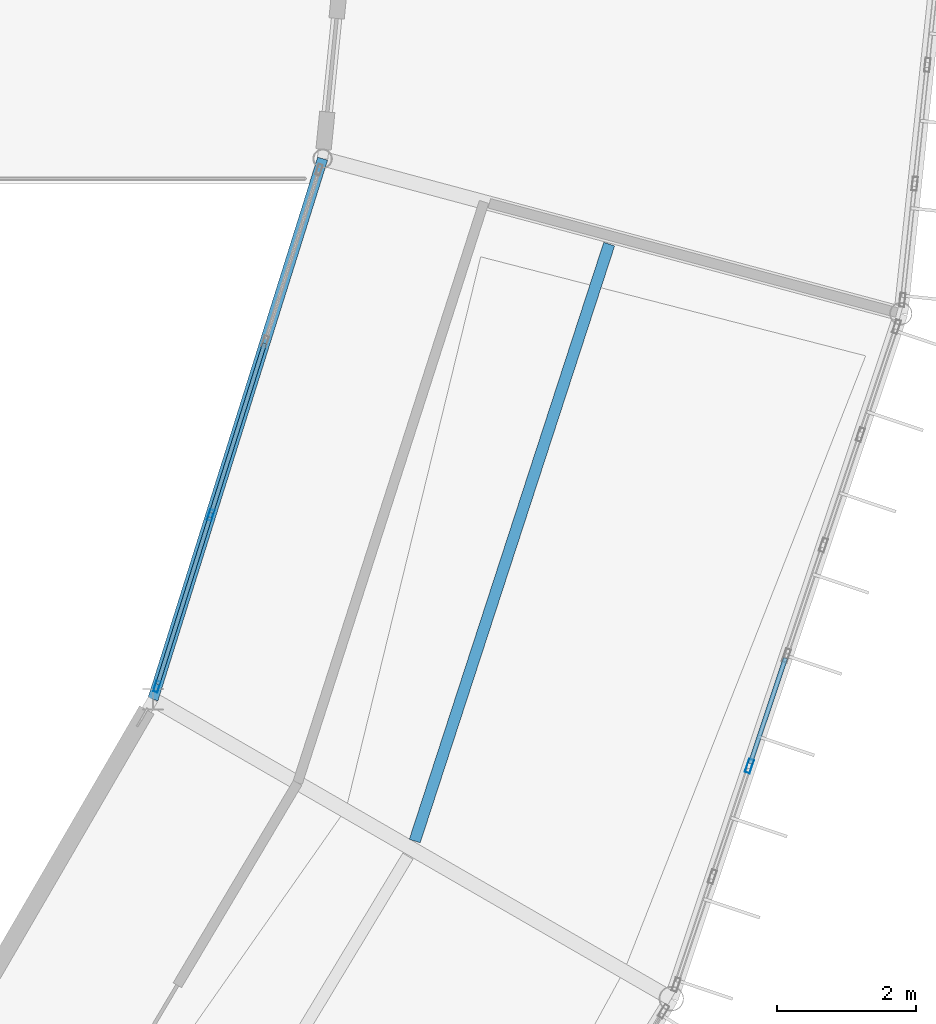
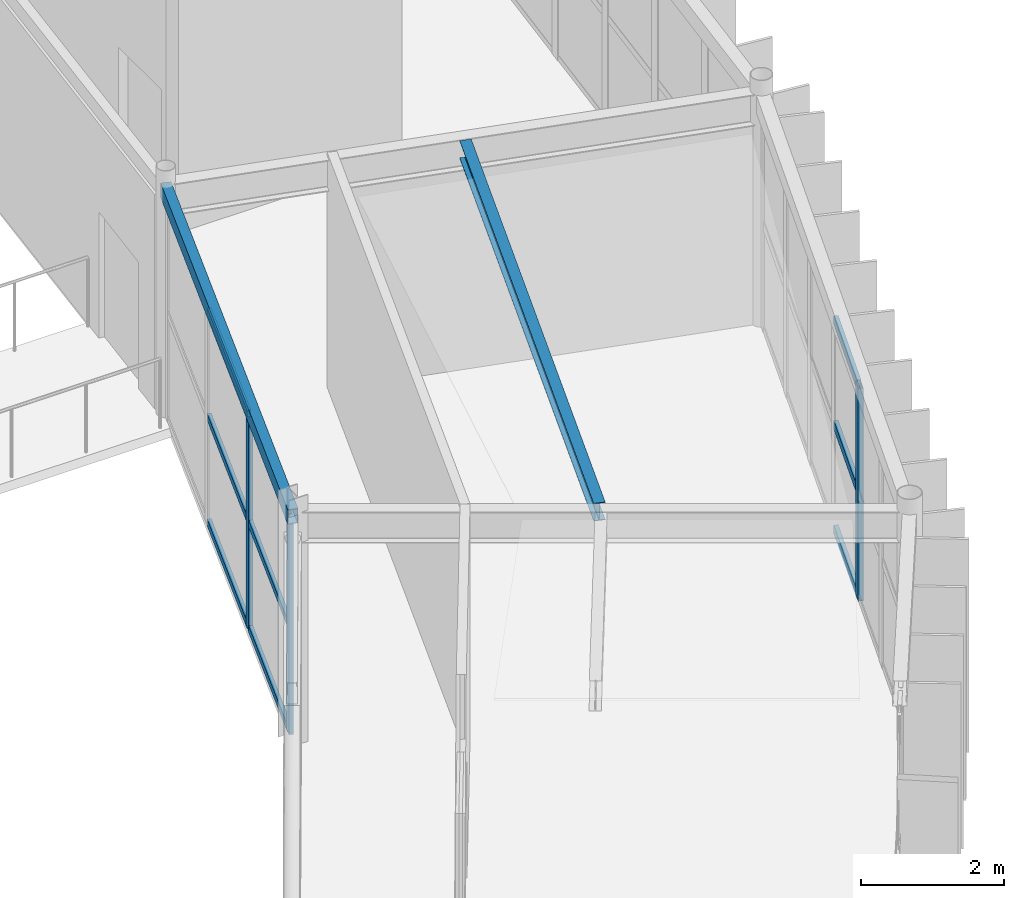
# One storey, part 60 of 147: 12 members, 2 beams, 2 elements without a shape of their own.
"""IFC4 building model written with IfcOpenShell, lengths in metres."""

from ifc_helpers import new_model, si_unit, direction, frame, origin, origin_2d, place, context, subcontext, project, spatial, hollow_rectangle, i_section, extrude, material, material_profile, profile_set, type_object, element, aggregate, save


model = new_model("IFC4")

# Units and contexts
model_context = context("Model", 3, precision=1e-05, world=origin(), true_north=direction((0.0, 1.0)))
body_context = subcontext(model_context, "Body", "Model", "MODEL_VIEW")
ifc_project = project(units=[si_unit("LENGTHUNIT", "METRE"), si_unit("AREAUNIT", "SQUARE_METRE"), si_unit("VOLUMEUNIT", "CUBIC_METRE"), si_unit("PLANEANGLEUNIT", "RADIAN"), si_unit("MASSUNIT", "GRAM", prefix="KILO")], contexts=[model_context])

# Site, building, storey
site_placement = place(None, origin())
site = spatial("IfcSite", under=ifc_project, at=site_placement, CompositionType="ELEMENT")
building_placement = place(site_placement, origin())
building = spatial("IfcBuilding", under=site, at=building_placement, Name="Karori Crest Natural Sciences Institute", CompositionType="ELEMENT")
storey_placement = place(building_placement, frame((0.0, 0.0, 9.10009765625)))
storey = spatial("IfcBuildingStorey", under=building, at=storey_placement, Name="L02", CompositionType="ELEMENT", Elevation=9.10009765625)

# Beams
ifc_material_1 = material(Name="Structural steel AS/NZS 3679.1 Grade 350", Category="steel")
ifc_material_profile_1 = material_profile(ifc_material_1, i_section(OverallWidth=0.1650390625, OverallDepth=0.303955078125, WebThickness=0.006103515625, FlangeThickness=0.01025390625, FilletRadius=0.010986328125, at=origin_2d()), Name="310UB40.4")
ifc_profile_set_1 = profile_set([ifc_material_profile_1], Name="Structural steel AS/NZS 3679.1 Grade 350")
beam_type_1 = type_object("IfcBeamType", Name="BT-10", PredefinedType="BEAM", material=ifc_profile_set_1)
beam_1_placement = place(storey_placement, frame((91.2919921875, 31.76416015625, 3.787841796875), z_axis=(0.309698753032, 0.950834729262, 0.0), x_axis=(-0.950834729262, 0.309698753032, 0.0)))
element("IfcBeam", 1, at=beam_1_placement, inside=storey, type_object=beam_type_1, Name="Beam B-0357", PredefinedType="BEAM", context=body_context, shape_type="SweptSolid", body=[
    extrude(i_section(OverallWidth=0.1650390625, OverallDepth=0.303955078125, WebThickness=0.006103515625, FlangeThickness=0.01025390625, FilletRadius=0.010986328125, at=origin_2d()), origin(), (0.0, 0.0, 1.0), 9.018310546875),
])
ifc_material_2 = material(Name="Hollow structural steel AS/NZS 1163 Grade C350", Category="steel")
ifc_material_profile_2 = material_profile(ifc_material_2, hollow_rectangle(XDim=0.14990234375, YDim=0.25, WallThickness=0.009033203125, at=origin_2d()), Name="RHS250x150x9")
ifc_profile_set_2 = profile_set([ifc_material_profile_2], Name="Hollow structural steel AS/NZS 1163 Grade C350")
beam_type_2 = type_object("IfcBeamType", Name="BT-16", PredefinedType="SPANDREL", material=ifc_profile_set_2)
beam_2_placement = place(storey_placement, frame((87.531005859375, 33.800048828125, 3.789794921875), z_axis=(0.299468576182, 0.954106163841, 0.0), x_axis=(-0.954106163841, 0.299468576182, 0.0)))
element("IfcBeam", 2, at=beam_2_placement, inside=storey, type_object=beam_type_2, Name="Beam B-0355", PredefinedType="SPANDREL", context=body_context, shape_type="SweptSolid", body=[
    extrude(hollow_rectangle(XDim=0.14990234375, YDim=0.25, WallThickness=0.009033203125, at=origin_2d()), origin(), (0.0, 0.0, 1.0), 8.139404296875),
])

# Curtain wall, members
ifc_material_3 = material(Name="Anodised architectural aluminium 6063-T6", Category="aluminium")
curtain_wall_type_1 = type_object("IfcCurtainWallType", Name="CWT-13", PredefinedType="NOTDEFINED", material=ifc_material_3)
curtain_wall_1_placement = place(storey_placement, origin())
curtain_wall_1 = element("IfcCurtainWall", 3, at=curtain_wall_1_placement, inside=storey, type_object=curtain_wall_type_1, Name="Curtain wall CW-0098", PredefinedType="NOTDEFINED")
ifc_material_profile_3 = material_profile(ifc_material_3, hollow_rectangle(XDim=0.06494140625, YDim=0.159912109375, WallThickness=0.00390625, at=origin_2d()), Name="CWM160x65x4")
ifc_profile_set_3 = profile_set([ifc_material_profile_3], Name="Anodised architectural aluminium 6063-T6")
member_type_1 = type_object("IfcMemberType", Name="CWM-01", PredefinedType="MULLION", material=ifc_profile_set_3)
member_1_placement = place(storey_placement, frame((87.58837890625, 33.983154296875, 0.0), z_axis=(0.0, 0.0, 1.0), x_axis=(-0.954103649609, 0.2994765864, 0.0)))
member_1 = element("IfcMember", 4, at=member_1_placement, type_object=member_type_1, Name="CW-0098 mullion 1", PredefinedType="MULLION", context=body_context, shape_type="SweptSolid", body=[
    extrude(hollow_rectangle(XDim=0.06494140625, YDim=0.159912109375, WallThickness=0.00390625, at=origin_2d()), origin(), (0.0, 0.0, 1.0), 3.64990234375),
])
member_2_placement = place(storey_placement, frame((88.36181640625, 36.447265625, 0.0), z_axis=(0.0, 0.0, 1.0), x_axis=(-0.954103649609, 0.2994765864, 0.0)))
member_2 = element("IfcMember", 5, at=member_2_placement, type_object=member_type_1, Name="CW-0098 mullion 2", PredefinedType="MULLION", context=body_context, shape_type="SweptSolid", body=[
    extrude(hollow_rectangle(XDim=0.06494140625, YDim=0.159912109375, WallThickness=0.00390625, at=origin_2d()), origin(), (0.0, 0.0, 1.0), 3.64990234375),
])

# Curtain wall, member
curtain_wall_type_2 = type_object("IfcCurtainWallType", Name="CWT-03", PredefinedType="NOTDEFINED", material=ifc_material_3)
curtain_wall_2_placement = place(storey_placement, origin())
curtain_wall_2 = element("IfcCurtainWall", 6, at=curtain_wall_2_placement, inside=storey, type_object=curtain_wall_type_2, Name="Curtain wall CW-0097", PredefinedType="NOTDEFINED")
ifc_material_profile_4 = material_profile(ifc_material_3, hollow_rectangle(XDim=0.074951171875, YDim=0.199951171875, WallThickness=0.0048828125, at=origin_2d()), Name="CWM200x75x5")
ifc_profile_set_4 = profile_set([ifc_material_profile_4], Name="Anodised architectural aluminium 6063-T6")
member_type_2 = type_object("IfcMemberType", Name="CWM-02", PredefinedType="MULLION", material=ifc_profile_set_4)
member_3_placement = place(storey_placement, frame((96.097900390625, 32.840576171875, 0.0), z_axis=(0.0, 0.0, 1.0), x_axis=(0.948196219586, -0.317685267462, 0.0)))
member_3 = element("IfcMember", 7, at=member_3_placement, type_object=member_type_2, Name="CW-0097 mullion 5", PredefinedType="MULLION", context=body_context, shape_type="SweptSolid", body=[
    extrude(hollow_rectangle(XDim=0.074951171875, YDim=0.199951171875, WallThickness=0.0048828125, at=origin_2d()), origin(), (0.0, 0.0, 1.0), 3.625),
])

# Member
ifc_material_profile_5 = material_profile(ifc_material_3, hollow_rectangle(XDim=0.06005859375, YDim=0.1201171875, WallThickness=0.00390625, at=origin_2d()), Name="CWT120x60x4")
ifc_profile_set_5 = profile_set([ifc_material_profile_5], Name="Anodised architectural aluminium 6063-T6")
member_type_3 = type_object("IfcMemberType", Name="CWT-TR1", PredefinedType="USERDEFINED", material=ifc_profile_set_5)
member_4_placement = place(storey_placement, frame((87.59814453125, 34.01416015625, 0.02978515625), z_axis=(0.299450859361, 0.9541117245, 0.0), x_axis=(-0.9541117245, 0.299450859361, 0.0)))
member_4 = element("IfcMember", 8, at=member_4_placement, type_object=member_type_3, Name="CW-0098 transom 1.1", ObjectType="TRANSOM", PredefinedType="USERDEFINED", context=body_context, shape_type="SweptSolid", body=[
    extrude(hollow_rectangle(XDim=0.06005859375, YDim=0.1201171875, WallThickness=0.00390625, at=origin_2d()), origin(), (0.0, 0.0, 1.0), 2.517578125),
])

member_5_placement = place(storey_placement, frame((87.59814453125, 34.01416015625, 1.824951171875), z_axis=(0.299450859361, 0.9541117245, 0.0), x_axis=(-0.9541117245, 0.299450859361, 0.0)))
member_5 = element("IfcMember", 9, at=member_5_placement, type_object=member_type_3, Name="CW-0098 transom 1.2", ObjectType="TRANSOM", PredefinedType="USERDEFINED", context=body_context, shape_type="SweptSolid", body=[
    extrude(hollow_rectangle(XDim=0.06005859375, YDim=0.1201171875, WallThickness=0.00390625, at=origin_2d()), origin(), (0.0, 0.0, 1.0), 2.517578125),
])

member_6_placement = place(storey_placement, frame((87.59814453125, 34.01416015625, 3.619873046875), z_axis=(0.299450859361, 0.9541117245, 0.0), x_axis=(-0.9541117245, 0.299450859361, 0.0)))
member_6 = element("IfcMember", 10, at=member_6_placement, type_object=member_type_3, Name="CW-0098 transom 1.3", ObjectType="TRANSOM", PredefinedType="USERDEFINED", context=body_context, shape_type="SweptSolid", body=[
    extrude(hollow_rectangle(XDim=0.06005859375, YDim=0.1201171875, WallThickness=0.00390625, at=origin_2d()), origin(), (0.0, 0.0, 1.0), 2.517578125),
])

member_7_placement = place(storey_placement, frame((88.37158203125, 36.478271484375, 0.02978515625), z_axis=(0.299463118482, 0.954107876851, 0.0), x_axis=(-0.954107876851, 0.299463118482, 0.0)))
member_7 = element("IfcMember", 11, at=member_7_placement, type_object=member_type_3, Name="CW-0098 transom 2.1", ObjectType="TRANSOM", PredefinedType="USERDEFINED", context=body_context, shape_type="SweptSolid", body=[
    extrude(hollow_rectangle(XDim=0.06005859375, YDim=0.1201171875, WallThickness=0.00390625, at=origin_2d()), origin(), (0.0, 0.0, 1.0), 2.550048828125),
])

member_8_placement = place(storey_placement, frame((88.37158203125, 36.478271484375, 1.824951171875), z_axis=(0.299463118482, 0.954107876851, 0.0), x_axis=(-0.954107876851, 0.299463118482, 0.0)))
member_8 = element("IfcMember", 12, at=member_8_placement, type_object=member_type_3, Name="CW-0098 transom 2.2", ObjectType="TRANSOM", PredefinedType="USERDEFINED", context=body_context, shape_type="SweptSolid", body=[
    extrude(hollow_rectangle(XDim=0.06005859375, YDim=0.1201171875, WallThickness=0.00390625, at=origin_2d()), origin(), (0.0, 0.0, 1.0), 2.550048828125),
])

member_9_placement = place(storey_placement, frame((88.37158203125, 36.478271484375, 3.619873046875), z_axis=(0.299463118482, 0.954107876851, 0.0), x_axis=(-0.954107876851, 0.299463118482, 0.0)))
member_9 = element("IfcMember", 13, at=member_9_placement, type_object=member_type_3, Name="CW-0098 transom 2.3", ObjectType="TRANSOM", PredefinedType="USERDEFINED", context=body_context, shape_type="SweptSolid", body=[
    extrude(hollow_rectangle(XDim=0.06005859375, YDim=0.1201171875, WallThickness=0.00390625, at=origin_2d()), origin(), (0.0, 0.0, 1.0), 2.550048828125),
])

aggregate(curtain_wall_1, [member_1, member_2, member_4, member_5, member_6, member_7, member_8, member_9])

ifc_material_profile_6 = material_profile(ifc_material_3, hollow_rectangle(XDim=0.06494140625, YDim=0.14990234375, WallThickness=0.00390625, at=origin_2d()), Name="CWT150x65x4")
ifc_profile_set_6 = profile_set([ifc_material_profile_6], Name="Anodised architectural aluminium 6063-T6")
member_type_4 = type_object("IfcMemberType", Name="CWT-TR2", PredefinedType="USERDEFINED", material=ifc_profile_set_6)
member_10_placement = place(storey_placement, frame((96.61767578125, 34.39208984375, 0.032470703125), z_axis=(-0.317647663217, -0.948208817747, 0.0), x_axis=(0.948208817747, -0.317647663217, 0.0)))
member_10 = element("IfcMember", 14, at=member_10_placement, type_object=member_type_4, Name="CW-0097 transom 4.1", ObjectType="TRANSOM", PredefinedType="USERDEFINED", context=body_context, shape_type="SweptSolid", body=[
    extrude(hollow_rectangle(XDim=0.06494140625, YDim=0.14990234375, WallThickness=0.00390625, at=origin_2d()), origin(), (0.0, 0.0, 1.0), 1.5986328125),
])

member_11_placement = place(storey_placement, frame((96.61767578125, 34.39208984375, 1.8125), z_axis=(-0.317647663217, -0.948208817747, 0.0), x_axis=(0.948208817747, -0.317647663217, 0.0)))
member_11 = element("IfcMember", 15, at=member_11_placement, type_object=member_type_4, Name="CW-0097 transom 4.2", ObjectType="TRANSOM", PredefinedType="USERDEFINED", context=body_context, shape_type="SweptSolid", body=[
    extrude(hollow_rectangle(XDim=0.06494140625, YDim=0.14990234375, WallThickness=0.00390625, at=origin_2d()), origin(), (0.0, 0.0, 1.0), 1.5986328125),
])

member_12_placement = place(storey_placement, frame((96.61767578125, 34.39208984375, 3.59228515625), z_axis=(-0.317647663217, -0.948208817747, 0.0), x_axis=(0.948208817747, -0.317647663217, 0.0)))
member_12 = element("IfcMember", 16, at=member_12_placement, type_object=member_type_4, Name="CW-0097 transom 4.3", ObjectType="TRANSOM", PredefinedType="USERDEFINED", context=body_context, shape_type="SweptSolid", body=[
    extrude(hollow_rectangle(XDim=0.06494140625, YDim=0.14990234375, WallThickness=0.00390625, at=origin_2d()), origin(), (0.0, 0.0, 1.0), 1.5986328125),
])

aggregate(curtain_wall_2, [member_3, member_10, member_11, member_12])

save(model, "model.ifc")
